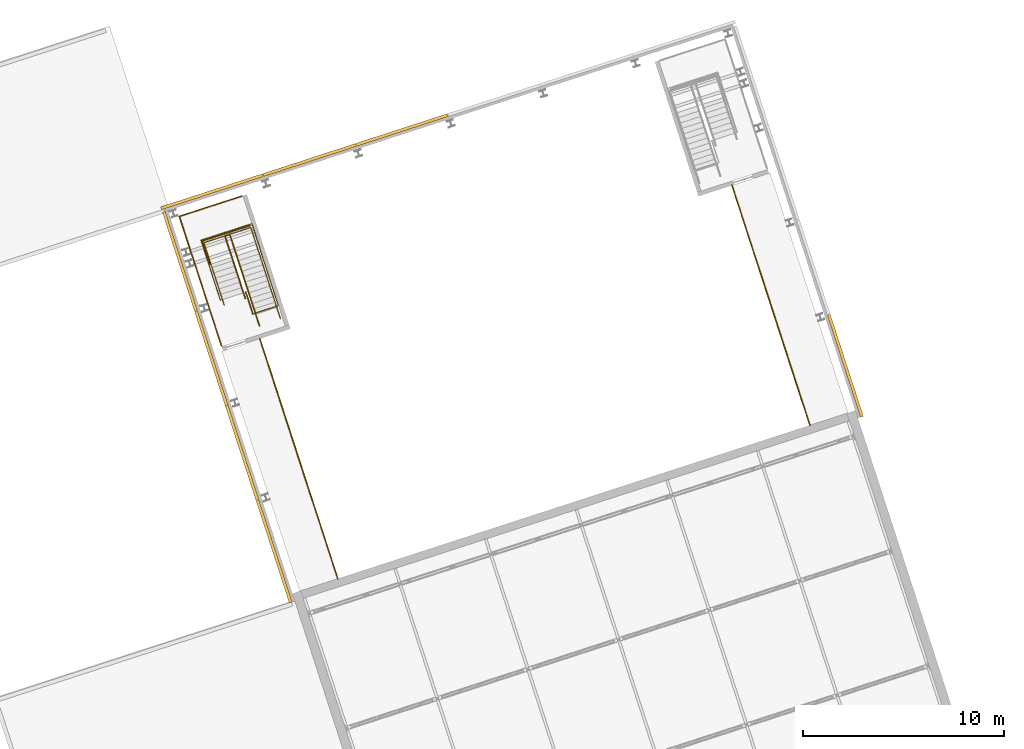
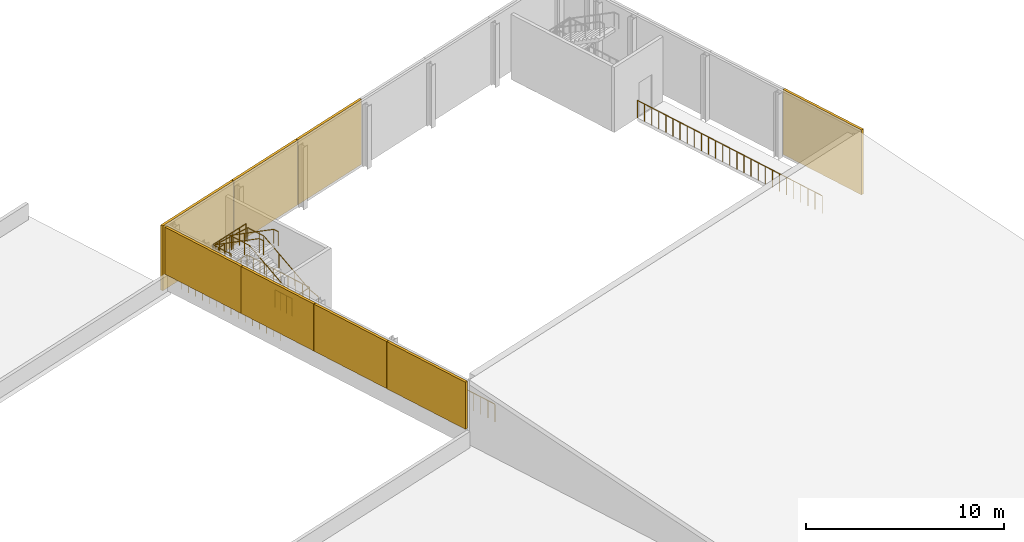
# One storey, part 53 of 55: 10 railings, 8 coverings.
"""IFC4 building model written with IfcOpenShell, lengths in metres."""

from ifc_helpers import new_model, si_unit, direction, frame, origin, origin_2d, place, context, subcontext, project, spatial, polyline, circle, outline, extrude, material, layer, layer_set, type_object, element, save


model = new_model("IFC4")

# Units and contexts
model_context = context("Model", 3, precision=1e-05, world=origin(), true_north=direction((0.0, 1.0)))
body_context = subcontext(model_context, "Body", "Model", "MODEL_VIEW")
ifc_project = project(units=[si_unit("LENGTHUNIT", "METRE"), si_unit("AREAUNIT", "SQUARE_METRE"), si_unit("VOLUMEUNIT", "CUBIC_METRE"), si_unit("PLANEANGLEUNIT", "RADIAN"), si_unit("MASSUNIT", "GRAM", prefix="KILO")], contexts=[model_context])

# Site, building, storey
site_placement = place(None, origin())
site = spatial("IfcSite", under=ifc_project, at=site_placement, CompositionType="ELEMENT")
building_placement = place(site_placement, origin())
building = spatial("IfcBuilding", under=site, at=building_placement, Name="Tuart Plaza Theatre", CompositionType="ELEMENT")
storey_placement = place(building_placement, frame((0.0, 0.0, 21.5)))
storey = spatial("IfcBuildingStorey", under=building, at=storey_placement, Name="L05", CompositionType="ELEMENT", Elevation=21.5)

# Coverings
ifc_material_1 = material(Name="Zinc")
ifc_layer = layer(ifc_material_1, 0.14990234375)
ifc_layer_set = layer_set([ifc_layer], Name="COVERING-ZINC-RAINSCREEN150")
covering_type = type_object("IfcCoveringType", Name="COVERING-ZINC-RAINSCREEN150", PredefinedType="CLADDING", material=ifc_layer_set)
covering_1_placement = place(storey_placement, frame((0.0, 0.0, 1.10009765625)))
element("IfcCovering", 1, at=covering_1_placement, inside=storey, type_object=covering_type, Name="CL36", PredefinedType="CLADDING", context=body_context, shape_type="SweptSolid", body=[
    extrude(outline(polyline([(40.91943359375, 68.2802734375), (39.269287109375, 73.35888671875), (39.412109375, 73.4052734375), (41.062255859375, 68.32666015625), (40.91943359375, 68.2802734375)])), origin(), (0.0, 0.0, 1.0), 2.89990234375),
])
covering_2_placement = place(storey_placement, frame((0.0, 0.0, 1.10009765625)))
element("IfcCovering", 2, at=covering_2_placement, inside=storey, type_object=covering_type, Name="CL37", PredefinedType="CLADDING", context=body_context, shape_type="SweptSolid", body=[
    extrude(outline(polyline([(39.26318359375, 73.3779296875), (37.73974609375, 78.066650390625), (37.88232421875, 78.113037109375), (39.406005859375, 73.42431640625), (39.26318359375, 73.3779296875)])), origin(), (0.0, 0.0, 1.0), 2.89990234375),
])
covering_3_placement = place(storey_placement, frame((0.0, 0.0, 1.10009765625)))
element("IfcCovering", 3, at=covering_3_placement, inside=storey, type_object=covering_type, Name="CL38", PredefinedType="CLADDING", context=body_context, shape_type="SweptSolid", body=[
    extrude(outline(polyline([(37.733642578125, 78.085693359375), (36.210205078125, 82.7744140625), (36.352783203125, 82.82080078125), (37.876220703125, 78.132080078125), (37.733642578125, 78.085693359375)])), origin(), (0.0, 0.0, 1.0), 2.89990234375),
])
covering_4_placement = place(storey_placement, frame((0.0, 0.0, 1.10009765625)))
element("IfcCovering", 4, at=covering_4_placement, inside=storey, type_object=covering_type, Name="CL39", PredefinedType="CLADDING", context=body_context, shape_type="SweptSolid", body=[
    extrude(outline(polyline([(36.203857421875, 82.793212890625), (34.60791015625, 87.70556640625), (34.75048828125, 87.751953125), (36.3466796875, 82.839599609375), (36.203857421875, 82.793212890625)])), origin(), (0.0, 0.0, 1.0), 2.89990234375),
])
covering_5_placement = place(storey_placement, origin())
element("IfcCovering", 5, at=covering_5_placement, inside=storey, type_object=covering_type, Name="CL40", PredefinedType="CLADDING", context=body_context, shape_type="SweptSolid", body=[
    extrude(outline(polyline([(69.337158203125, 77.513671875), (67.68701171875, 82.59228515625), (67.82958984375, 82.638671875), (69.479736328125, 77.56005859375), (69.337158203125, 77.513671875)])), origin(), (0.0, 0.0, 1.0), 4.0),
])
covering_6_placement = place(storey_placement, origin())
element("IfcCovering", 6, at=covering_6_placement, inside=storey, type_object=covering_type, Name="CL44", PredefinedType="CLADDING", context=body_context, shape_type="SweptSolid", body=[
    extrude(outline(polyline([(34.518310546875, 87.9814453125), (39.59521484375, 89.631103515625), (39.6416015625, 89.48828125), (34.564697265625, 87.838623046875), (34.518310546875, 87.9814453125)])), origin(), (0.0, 0.0, 1.0), 4.0),
])
covering_7_placement = place(storey_placement, origin())
element("IfcCovering", 7, at=covering_7_placement, inside=storey, type_object=covering_type, Name="CL45", PredefinedType="CLADDING", context=body_context, shape_type="SweptSolid", body=[
    extrude(outline(polyline([(39.6142578125, 89.63720703125), (44.192138671875, 91.12451171875), (44.23828125, 90.98193359375), (39.66064453125, 89.494384765625), (39.6142578125, 89.63720703125)])), origin(), (0.0, 0.0, 1.0), 4.0),
])
covering_8_placement = place(storey_placement, origin())
element("IfcCovering", 8, at=covering_8_placement, inside=storey, type_object=covering_type, Name="CL46", PredefinedType="CLADDING", context=body_context, shape_type="SweptSolid", body=[
    extrude(outline(polyline([(44.211181640625, 91.130859375), (48.788818359375, 92.6181640625), (48.835205078125, 92.4755859375), (44.25732421875, 90.988037109375), (44.211181640625, 91.130859375)])), origin(), (0.0, 0.0, 1.0), 4.0),
])

# Railings
ifc_material_2 = material(Name="Steel Grade C350L0", Category="steel")
railing_type_1 = type_object("IfcRailingType", Name="RAILING Guard 1100", PredefinedType="GUARDRAIL", material=ifc_material_2)
railing_1_placement = place(storey_placement, frame((39.114013671875, 82.65576171875, 0.0)))
element("IfcRailing", 9, at=railing_1_placement, inside=storey, type_object=railing_type_1, Name="GR64", PredefinedType="GUARDRAIL", context=body_context, shape_type="SweptSolid", body=[
    extrude(circle(Radius=0.02490234375, at=origin_2d()), frame((0.0, 0.0, 1.0751953125), z_axis=(-0.309181642965, 0.951003002968, 0.0), x_axis=(-0.951003002968, -0.309181642965, 0.0)), (0.0, 0.0, 1.0), 1.1552734375),
    extrude(circle(Radius=0.02001953125, at=origin_2d()), origin(), (0.0, 0.0, 1.0), 1.050048828125),
    extrude(circle(Radius=0.02001953125, at=origin_2d()), frame((-0.119140625, 0.3662109375, 0.0)), (0.0, 0.0, 1.0), 1.050048828125),
    extrude(circle(Radius=0.02001953125, at=origin_2d()), frame((-0.238037109375, 0.732421875, 0.0)), (0.0, 0.0, 1.0), 1.050048828125),
    extrude(circle(Radius=0.02001953125, at=origin_2d()), frame((-0.357177734375, 1.0986328125, 0.0)), (0.0, 0.0, 1.0), 1.050048828125),
])
railing_2_placement = place(storey_placement, frame((37.5380859375, 83.363525390625, 0.0)))
element("IfcRailing", 10, at=railing_2_placement, inside=storey, type_object=railing_type_1, Name="GR65", PredefinedType="GUARDRAIL", context=body_context, shape_type="SweptSolid", body=[
    extrude(circle(Radius=0.02490234375, at=origin_2d()), frame((0.0, 0.0, 1.0751953125), z_axis=(-0.951351351351, -0.308108108108, 0.0), x_axis=(0.308108108108, -0.951351351351, 0.0)), (0.0, 0.0, 1.0), 0.045166015625),
    extrude(circle(Radius=0.02490234375, at=origin_2d()), frame((-0.04296875, -0.013916015625, 1.0751953125), z_axis=(-0.30901175762, 0.951058217804, 0.0), x_axis=(-0.951058217804, -0.30901175762, 0.0)), (0.0, 0.0, 1.0), 3.119873046875),
    extrude(circle(Radius=0.02490234375, at=origin_2d()), frame((-1.007080078125, 2.953369140625, 1.0751953125), z_axis=(0.951065031201, 0.308990786962, 0.0), x_axis=(-0.308990786962, 0.951065031201, 0.0)), (0.0, 0.0, 1.0), 2.6650390625),
    extrude(circle(Radius=0.02490234375, at=origin_2d()), frame((1.527587890625, 3.77685546875, 1.0751953125), z_axis=(0.309115126356, -0.951024625684, 0.0), x_axis=(0.951024625684, 0.309115126356, 0.0)), (0.0, 0.0, 1.0), 1.330078125),
    extrude(circle(Radius=0.02490234375, at=origin_2d()), frame((1.938720703125, 2.511962890625, 1.0751953125), z_axis=(-0.951860557857, -0.306531366089, 0.0), x_axis=(0.306531366089, -0.951860557857, 0.0)), (0.0, 0.0, 1.0), 0.01513671875),
    extrude(circle(Radius=0.02490234375, at=origin_2d()), frame((1.92431640625, 2.50732421875, 1.0751953125), z_axis=(0.309018704887, -0.951055960514, 0.0), x_axis=(0.951055960514, 0.309018704887, 0.0)), (0.0, 0.0, 1.0), 2.949951171875),
    extrude(circle(Radius=0.02490234375, at=origin_2d()), frame((2.8359375, -0.29833984375, 1.0751953125), z_axis=(-0.951051671908, -0.309031903466, 0.0), x_axis=(0.309031903466, -0.951051671908, 0.0)), (0.0, 0.0, 1.0), 1.324951171875),
    extrude(circle(Radius=0.02001953125, at=origin_2d()), origin(), (0.0, 0.0, 1.0), 1.050048828125),
    extrude(circle(Radius=0.02001953125, at=origin_2d()), frame((-0.04296875, -0.013916015625, 0.0)), (0.0, 0.0, 1.0), 1.050048828125),
    extrude(circle(Radius=0.02001953125, at=origin_2d()), frame((-0.1806640625, 0.409912109375, 0.0)), (0.0, 0.0, 1.0), 1.050048828125),
    extrude(circle(Radius=0.02001953125, at=origin_2d()), frame((-0.318359375, 0.833984375, 0.0)), (0.0, 0.0, 1.0), 1.050048828125),
    extrude(circle(Radius=0.02001953125, at=origin_2d()), frame((-0.4560546875, 1.2578125, 0.0)), (0.0, 0.0, 1.0), 1.050048828125),
    extrude(circle(Radius=0.02001953125, at=origin_2d()), frame((-0.593994140625, 1.681640625, 0.0)), (0.0, 0.0, 1.0), 1.050048828125),
    extrude(circle(Radius=0.02001953125, at=origin_2d()), frame((-0.731689453125, 2.10546875, 0.0)), (0.0, 0.0, 1.0), 1.050048828125),
    extrude(circle(Radius=0.02001953125, at=origin_2d()), frame((-0.869384765625, 2.529541015625, 0.0)), (0.0, 0.0, 1.0), 1.050048828125),
    extrude(circle(Radius=0.02001953125, at=origin_2d()), frame((-1.007080078125, 2.953369140625, 0.0)), (0.0, 0.0, 1.0), 1.050048828125),
    extrude(circle(Radius=0.02001953125, at=origin_2d()), frame((-0.584716796875, 3.090576171875, 0.0)), (0.0, 0.0, 1.0), 1.050048828125),
    extrude(circle(Radius=0.02001953125, at=origin_2d()), frame((-0.162109375, 3.227783203125, 0.0)), (0.0, 0.0, 1.0), 1.050048828125),
    extrude(circle(Radius=0.02001953125, at=origin_2d()), frame((0.26025390625, 3.365234375, 0.0)), (0.0, 0.0, 1.0), 1.050048828125),
    extrude(circle(Radius=0.02001953125, at=origin_2d()), frame((0.6826171875, 3.50244140625, 0.0)), (0.0, 0.0, 1.0), 1.050048828125),
    extrude(circle(Radius=0.02001953125, at=origin_2d()), frame((1.105224609375, 3.6396484375, 0.0)), (0.0, 0.0, 1.0), 1.050048828125),
    extrude(circle(Radius=0.02001953125, at=origin_2d()), frame((1.527587890625, 3.77685546875, 0.0)), (0.0, 0.0, 1.0), 1.050048828125),
    extrude(circle(Radius=0.02001953125, at=origin_2d()), frame((1.66455078125, 3.355224609375, 0.0)), (0.0, 0.0, 1.0), 1.050048828125),
    extrude(circle(Radius=0.02001953125, at=origin_2d()), frame((1.8017578125, 2.93359375, 0.0)), (0.0, 0.0, 1.0), 1.050048828125),
    extrude(circle(Radius=0.02001953125, at=origin_2d()), frame((1.938720703125, 2.511962890625, 0.0)), (0.0, 0.0, 1.0), 1.050048828125),
    extrude(circle(Radius=0.02001953125, at=origin_2d()), frame((1.92431640625, 2.50732421875, 0.0)), (0.0, 0.0, 1.0), 1.050048828125),
    extrude(circle(Radius=0.02001953125, at=origin_2d()), frame((2.076171875, 2.039794921875, 0.0)), (0.0, 0.0, 1.0), 1.050048828125),
    extrude(circle(Radius=0.02001953125, at=origin_2d()), frame((2.228271484375, 1.572021484375, 0.0)), (0.0, 0.0, 1.0), 1.050048828125),
    extrude(circle(Radius=0.02001953125, at=origin_2d()), frame((2.380126953125, 1.1044921875, 0.0)), (0.0, 0.0, 1.0), 1.050048828125),
    extrude(circle(Radius=0.02001953125, at=origin_2d()), frame((2.531982421875, 0.636962890625, 0.0)), (0.0, 0.0, 1.0), 1.050048828125),
    extrude(circle(Radius=0.02001953125, at=origin_2d()), frame((2.68408203125, 0.169189453125, 0.0)), (0.0, 0.0, 1.0), 1.050048828125),
    extrude(circle(Radius=0.02001953125, at=origin_2d()), frame((2.8359375, -0.29833984375, 0.0)), (0.0, 0.0, 1.0), 1.050048828125),
    extrude(circle(Radius=0.02001953125, at=origin_2d()), frame((2.416015625, -0.434814453125, 0.0)), (0.0, 0.0, 1.0), 1.050048828125),
    extrude(circle(Radius=0.02001953125, at=origin_2d()), frame((1.995849609375, -0.5712890625, 0.0)), (0.0, 0.0, 1.0), 1.050048828125),
    extrude(circle(Radius=0.02001953125, at=origin_2d()), frame((1.575927734375, -0.707763671875, 0.0)), (0.0, 0.0, 1.0), 1.050048828125),
])
railing_3_placement = place(storey_placement, frame((38.967041015625, 87.055908203125, 2.0)))
element("IfcRailing", 11, at=railing_3_placement, inside=storey, type_object=railing_type_1, Name="GR70", PredefinedType="GUARDRAIL", context=body_context, shape_type="SweptSolid", body=[
    extrude(circle(Radius=0.02490234375, at=origin_2d()), frame((0.0, 0.0, 1.0751953125), z_axis=(-0.951062826572, -0.308997572666, 0.0), x_axis=(0.308997572666, -0.951062826572, 0.0)), (0.0, 0.0, 1.0), 2.4951171875),
    extrude(circle(Radius=0.02001953125, at=origin_2d()), origin(), (0.0, 0.0, 1.0), 1.050048828125),
    extrude(circle(Radius=0.02001953125, at=origin_2d()), frame((-0.474609375, -0.154296875, 0.0)), (0.0, 0.0, 1.0), 1.050048828125),
    extrude(circle(Radius=0.02001953125, at=origin_2d()), frame((-0.94921875, -0.308349609375, 0.0)), (0.0, 0.0, 1.0), 1.050048828125),
    extrude(circle(Radius=0.02001953125, at=origin_2d()), frame((-1.423828125, -0.462646484375, 0.0)), (0.0, 0.0, 1.0), 1.050048828125),
    extrude(circle(Radius=0.02001953125, at=origin_2d()), frame((-1.8984375, -0.61669921875, 0.0)), (0.0, 0.0, 1.0), 1.050048828125),
    extrude(circle(Radius=0.02001953125, at=origin_2d()), frame((-2.373046875, -0.77099609375, 0.0)), (0.0, 0.0, 1.0), 1.050048828125),
])
railing_4_placement = place(storey_placement, frame((36.593994140625, 86.284912109375, 2.0)))
element("IfcRailing", 12, at=railing_4_placement, inside=storey, type_object=railing_type_1, Name="GR71", PredefinedType="GUARDRAIL", context=body_context, shape_type="SweptSolid", body=[
    extrude(circle(Radius=0.02490234375, at=origin_2d()), frame((0.0, 0.0, 1.0751953125), z_axis=(0.309014268544, -0.951057401967, 0.0), x_axis=(0.951057401967, 0.309014268544, 0.0)), (0.0, 0.0, 1.0), 1.230224609375),
    extrude(circle(Radius=0.02001953125, at=origin_2d()), origin(), (0.0, 0.0, 1.0), 1.050048828125),
    extrude(circle(Radius=0.02001953125, at=origin_2d()), frame((0.126708984375, -0.389892578125, 0.0)), (0.0, 0.0, 1.0), 1.050048828125),
    extrude(circle(Radius=0.02001953125, at=origin_2d()), frame((0.25341796875, -0.780029296875, 0.0)), (0.0, 0.0, 1.0), 1.050048828125),
    extrude(circle(Radius=0.02001953125, at=origin_2d()), frame((0.380126953125, -1.169921875, 0.0)), (0.0, 0.0, 1.0), 1.050048828125),
])
railing_5_placement = place(storey_placement, frame((35.45068359375, 87.50634765625, 0.0)))
element("IfcRailing", 13, at=railing_5_placement, inside=storey, type_object=railing_type_1, Name="GR103", PredefinedType="GUARDRAIL", context=body_context, shape_type="SweptSolid", body=[
    extrude(circle(Radius=0.02490234375, at=origin_2d()), frame((0.0, 0.0, 1.0751953125), z_axis=(0.309019159347, -0.95105581285, 0.0), x_axis=(0.95105581285, 0.309019159347, 0.0)), (0.0, 0.0, 1.0), 6.76513671875),
    extrude(circle(Radius=0.02001953125, at=origin_2d()), origin(), (0.0, 0.0, 1.0), 1.050048828125),
    extrude(circle(Radius=0.02001953125, at=origin_2d()), frame((0.1494140625, -0.45947265625, 0.0)), (0.0, 0.0, 1.0), 1.050048828125),
    extrude(circle(Radius=0.02001953125, at=origin_2d()), frame((0.298583984375, -0.919189453125, 0.0)), (0.0, 0.0, 1.0), 1.050048828125),
    extrude(circle(Radius=0.02001953125, at=origin_2d()), frame((0.447998046875, -1.378662109375, 0.0)), (0.0, 0.0, 1.0), 1.050048828125),
    extrude(circle(Radius=0.02001953125, at=origin_2d()), frame((0.597412109375, -1.83837890625, 0.0)), (0.0, 0.0, 1.0), 1.050048828125),
    extrude(circle(Radius=0.02001953125, at=origin_2d()), frame((0.74658203125, -2.2978515625, 0.0)), (0.0, 0.0, 1.0), 1.050048828125),
    extrude(circle(Radius=0.02001953125, at=origin_2d()), frame((0.89599609375, -2.757568359375, 0.0)), (0.0, 0.0, 1.0), 1.050048828125),
    extrude(circle(Radius=0.02001953125, at=origin_2d()), frame((1.04541015625, -3.217041015625, 0.0)), (0.0, 0.0, 1.0), 1.050048828125),
    extrude(circle(Radius=0.02001953125, at=origin_2d()), frame((1.194580078125, -3.676513671875, 0.0)), (0.0, 0.0, 1.0), 1.050048828125),
    extrude(circle(Radius=0.02001953125, at=origin_2d()), frame((1.343994140625, -4.13623046875, 0.0)), (0.0, 0.0, 1.0), 1.050048828125),
    extrude(circle(Radius=0.02001953125, at=origin_2d()), frame((1.4931640625, -4.595703125, 0.0)), (0.0, 0.0, 1.0), 1.050048828125),
    extrude(circle(Radius=0.02001953125, at=origin_2d()), frame((1.642578125, -5.055419921875, 0.0)), (0.0, 0.0, 1.0), 1.050048828125),
    extrude(circle(Radius=0.02001953125, at=origin_2d()), frame((1.7919921875, -5.514892578125, 0.0)), (0.0, 0.0, 1.0), 1.050048828125),
    extrude(circle(Radius=0.02001953125, at=origin_2d()), frame((1.941162109375, -5.974609375, 0.0)), (0.0, 0.0, 1.0), 1.050048828125),
    extrude(circle(Radius=0.02001953125, at=origin_2d()), frame((2.090576171875, -6.43408203125, 0.0)), (0.0, 0.0, 1.0), 1.050048828125),
])
railing_6_placement = place(storey_placement, frame((38.555908203125, 88.51513671875, 0.0)))
element("IfcRailing", 14, at=railing_6_placement, inside=storey, type_object=railing_type_1, Name="GR104", PredefinedType="GUARDRAIL", context=body_context, shape_type="SweptSolid", body=[
    extrude(circle(Radius=0.02490234375, at=origin_2d()), frame((0.0, 0.0, 1.0751953125), z_axis=(-0.95107087914, -0.308972786588, 0.0), x_axis=(0.308972786588, -0.95107087914, 0.0)), (0.0, 0.0, 1.0), 3.264892578125),
    extrude(circle(Radius=0.02001953125, at=origin_2d()), origin(), (0.0, 0.0, 1.0), 1.050048828125),
    extrude(circle(Radius=0.02001953125, at=origin_2d()), frame((-0.443603515625, -0.14404296875, 0.0)), (0.0, 0.0, 1.0), 1.050048828125),
    extrude(circle(Radius=0.02001953125, at=origin_2d()), frame((-0.88720703125, -0.288330078125, 0.0)), (0.0, 0.0, 1.0), 1.050048828125),
    extrude(circle(Radius=0.02001953125, at=origin_2d()), frame((-1.330810546875, -0.432373046875, 0.0)), (0.0, 0.0, 1.0), 1.050048828125),
    extrude(circle(Radius=0.02001953125, at=origin_2d()), frame((-1.7744140625, -0.576416015625, 0.0)), (0.0, 0.0, 1.0), 1.050048828125),
    extrude(circle(Radius=0.02001953125, at=origin_2d()), frame((-2.218017578125, -0.720458984375, 0.0)), (0.0, 0.0, 1.0), 1.050048828125),
    extrude(circle(Radius=0.02001953125, at=origin_2d()), frame((-2.66162109375, -0.86474609375, 0.0)), (0.0, 0.0, 1.0), 1.050048828125),
    extrude(circle(Radius=0.02001953125, at=origin_2d()), frame((-3.105224609375, -1.0087890625, 0.0)), (0.0, 0.0, 1.0), 1.050048828125),
])
railing_7_placement = place(storey_placement, frame((43.335693359375, 69.48583984375, 0.0)))
element("IfcRailing", 15, at=railing_7_placement, inside=storey, type_object=railing_type_1, Name="GR121", PredefinedType="GUARDRAIL", context=body_context, shape_type="SweptSolid", body=[
    extrude(circle(Radius=0.02490234375, at=origin_2d()), frame((0.0, 0.0, 1.0751953125), z_axis=(-0.309017011458, 0.951056510744, 0.0), x_axis=(-0.951056510744, -0.309017011458, 0.0)), (0.0, 0.0, 1.0), 12.550048828125),
    extrude(circle(Radius=0.02001953125, at=origin_2d()), origin(), (0.0, 0.0, 1.0), 1.050048828125),
    extrude(circle(Radius=0.02001953125, at=origin_2d()), frame((-0.149169921875, 0.458984375, 0.0)), (0.0, 0.0, 1.0), 1.050048828125),
    extrude(circle(Radius=0.02001953125, at=origin_2d()), frame((-0.29833984375, 0.918212890625, 0.0)), (0.0, 0.0, 1.0), 1.050048828125),
    extrude(circle(Radius=0.02001953125, at=origin_2d()), frame((-0.447509765625, 1.377197265625, 0.0)), (0.0, 0.0, 1.0), 1.050048828125),
    extrude(circle(Radius=0.02001953125, at=origin_2d()), frame((-0.5966796875, 1.836181640625, 0.0)), (0.0, 0.0, 1.0), 1.050048828125),
    extrude(circle(Radius=0.02001953125, at=origin_2d()), frame((-0.745849609375, 2.29541015625, 0.0)), (0.0, 0.0, 1.0), 1.050048828125),
    extrude(circle(Radius=0.02001953125, at=origin_2d()), frame((-0.89501953125, 2.75439453125, 0.0)), (0.0, 0.0, 1.0), 1.050048828125),
    extrude(circle(Radius=0.02001953125, at=origin_2d()), frame((-1.044189453125, 3.21337890625, 0.0)), (0.0, 0.0, 1.0), 1.050048828125),
    extrude(circle(Radius=0.02001953125, at=origin_2d()), frame((-1.193359375, 3.672607421875, 0.0)), (0.0, 0.0, 1.0), 1.050048828125),
    extrude(circle(Radius=0.02001953125, at=origin_2d()), frame((-1.342529296875, 4.131591796875, 0.0)), (0.0, 0.0, 1.0), 1.050048828125),
    extrude(circle(Radius=0.02001953125, at=origin_2d()), frame((-1.49169921875, 4.590576171875, 0.0)), (0.0, 0.0, 1.0), 1.050048828125),
    extrude(circle(Radius=0.02001953125, at=origin_2d()), frame((-1.640869140625, 5.0498046875, 0.0)), (0.0, 0.0, 1.0), 1.050048828125),
    extrude(circle(Radius=0.02001953125, at=origin_2d()), frame((-1.7900390625, 5.5087890625, 0.0)), (0.0, 0.0, 1.0), 1.050048828125),
    extrude(circle(Radius=0.02001953125, at=origin_2d()), frame((-1.93896484375, 5.9677734375, 0.0)), (0.0, 0.0, 1.0), 1.050048828125),
    extrude(circle(Radius=0.02001953125, at=origin_2d()), frame((-2.088134765625, 6.427001953125, 0.0)), (0.0, 0.0, 1.0), 1.050048828125),
    extrude(circle(Radius=0.02001953125, at=origin_2d()), frame((-2.2373046875, 6.885986328125, 0.0)), (0.0, 0.0, 1.0), 1.050048828125),
    extrude(circle(Radius=0.02001953125, at=origin_2d()), frame((-2.386474609375, 7.34521484375, 0.0)), (0.0, 0.0, 1.0), 1.050048828125),
    extrude(circle(Radius=0.02001953125, at=origin_2d()), frame((-2.53564453125, 7.80419921875, 0.0)), (0.0, 0.0, 1.0), 1.050048828125),
    extrude(circle(Radius=0.02001953125, at=origin_2d()), frame((-2.684814453125, 8.26318359375, 0.0)), (0.0, 0.0, 1.0), 1.050048828125),
    extrude(circle(Radius=0.02001953125, at=origin_2d()), frame((-2.833984375, 8.722412109375, 0.0)), (0.0, 0.0, 1.0), 1.050048828125),
    extrude(circle(Radius=0.02001953125, at=origin_2d()), frame((-2.983154296875, 9.181396484375, 0.0)), (0.0, 0.0, 1.0), 1.050048828125),
    extrude(circle(Radius=0.02001953125, at=origin_2d()), frame((-3.13232421875, 9.640380859375, 0.0)), (0.0, 0.0, 1.0), 1.050048828125),
    extrude(circle(Radius=0.02001953125, at=origin_2d()), frame((-3.281494140625, 10.099609375, 0.0)), (0.0, 0.0, 1.0), 1.050048828125),
    extrude(circle(Radius=0.02001953125, at=origin_2d()), frame((-3.4306640625, 10.55859375, 0.0)), (0.0, 0.0, 1.0), 1.050048828125),
    extrude(circle(Radius=0.02001953125, at=origin_2d()), frame((-3.579833984375, 11.017578125, 0.0)), (0.0, 0.0, 1.0), 1.050048828125),
    extrude(circle(Radius=0.02001953125, at=origin_2d()), frame((-3.72900390625, 11.476806640625, 0.0)), (0.0, 0.0, 1.0), 1.050048828125),
    extrude(circle(Radius=0.02001953125, at=origin_2d()), frame((-3.878173828125, 11.935791015625, 0.0)), (0.0, 0.0, 1.0), 1.050048828125),
])
railing_8_placement = place(storey_placement, frame((66.81640625, 77.115234375, 0.0)))
element("IfcRailing", 16, at=railing_8_placement, inside=storey, type_object=railing_type_1, Name="GR122", PredefinedType="GUARDRAIL", context=body_context, shape_type="SweptSolid", body=[
    extrude(circle(Radius=0.02490234375, at=origin_2d()), frame((0.0, 0.0, 1.0751953125), z_axis=(-0.309017011458, 0.951056510744, 0.0), x_axis=(-0.951056510744, -0.309017011458, 0.0)), (0.0, 0.0, 1.0), 12.550048828125),
    extrude(circle(Radius=0.02001953125, at=origin_2d()), origin(), (0.0, 0.0, 1.0), 1.050048828125),
    extrude(circle(Radius=0.02001953125, at=origin_2d()), frame((-0.149169921875, 0.458984375, 0.0)), (0.0, 0.0, 1.0), 1.050048828125),
    extrude(circle(Radius=0.02001953125, at=origin_2d()), frame((-0.29833984375, 0.918212890625, 0.0)), (0.0, 0.0, 1.0), 1.050048828125),
    extrude(circle(Radius=0.02001953125, at=origin_2d()), frame((-0.447509765625, 1.377197265625, 0.0)), (0.0, 0.0, 1.0), 1.050048828125),
    extrude(circle(Radius=0.02001953125, at=origin_2d()), frame((-0.5966796875, 1.836181640625, 0.0)), (0.0, 0.0, 1.0), 1.050048828125),
    extrude(circle(Radius=0.02001953125, at=origin_2d()), frame((-0.745849609375, 2.29541015625, 0.0)), (0.0, 0.0, 1.0), 1.050048828125),
    extrude(circle(Radius=0.02001953125, at=origin_2d()), frame((-0.89501953125, 2.75439453125, 0.0)), (0.0, 0.0, 1.0), 1.050048828125),
    extrude(circle(Radius=0.02001953125, at=origin_2d()), frame((-1.044189453125, 3.21337890625, 0.0)), (0.0, 0.0, 1.0), 1.050048828125),
    extrude(circle(Radius=0.02001953125, at=origin_2d()), frame((-1.193359375, 3.672607421875, 0.0)), (0.0, 0.0, 1.0), 1.050048828125),
    extrude(circle(Radius=0.02001953125, at=origin_2d()), frame((-1.342529296875, 4.131591796875, 0.0)), (0.0, 0.0, 1.0), 1.050048828125),
    extrude(circle(Radius=0.02001953125, at=origin_2d()), frame((-1.49169921875, 4.590576171875, 0.0)), (0.0, 0.0, 1.0), 1.050048828125),
    extrude(circle(Radius=0.02001953125, at=origin_2d()), frame((-1.640869140625, 5.0498046875, 0.0)), (0.0, 0.0, 1.0), 1.050048828125),
    extrude(circle(Radius=0.02001953125, at=origin_2d()), frame((-1.7900390625, 5.5087890625, 0.0)), (0.0, 0.0, 1.0), 1.050048828125),
    extrude(circle(Radius=0.02001953125, at=origin_2d()), frame((-1.93896484375, 5.9677734375, 0.0)), (0.0, 0.0, 1.0), 1.050048828125),
    extrude(circle(Radius=0.02001953125, at=origin_2d()), frame((-2.088134765625, 6.427001953125, 0.0)), (0.0, 0.0, 1.0), 1.050048828125),
    extrude(circle(Radius=0.02001953125, at=origin_2d()), frame((-2.2373046875, 6.885986328125, 0.0)), (0.0, 0.0, 1.0), 1.050048828125),
    extrude(circle(Radius=0.02001953125, at=origin_2d()), frame((-2.386474609375, 7.34521484375, 0.0)), (0.0, 0.0, 1.0), 1.050048828125),
    extrude(circle(Radius=0.02001953125, at=origin_2d()), frame((-2.53564453125, 7.80419921875, 0.0)), (0.0, 0.0, 1.0), 1.050048828125),
    extrude(circle(Radius=0.02001953125, at=origin_2d()), frame((-2.684814453125, 8.26318359375, 0.0)), (0.0, 0.0, 1.0), 1.050048828125),
    extrude(circle(Radius=0.02001953125, at=origin_2d()), frame((-2.833984375, 8.722412109375, 0.0)), (0.0, 0.0, 1.0), 1.050048828125),
    extrude(circle(Radius=0.02001953125, at=origin_2d()), frame((-2.983154296875, 9.181396484375, 0.0)), (0.0, 0.0, 1.0), 1.050048828125),
    extrude(circle(Radius=0.02001953125, at=origin_2d()), frame((-3.13232421875, 9.640380859375, 0.0)), (0.0, 0.0, 1.0), 1.050048828125),
    extrude(circle(Radius=0.02001953125, at=origin_2d()), frame((-3.281494140625, 10.099609375, 0.0)), (0.0, 0.0, 1.0), 1.050048828125),
    extrude(circle(Radius=0.02001953125, at=origin_2d()), frame((-3.4306640625, 10.55859375, 0.0)), (0.0, 0.0, 1.0), 1.050048828125),
    extrude(circle(Radius=0.02001953125, at=origin_2d()), frame((-3.579833984375, 11.017578125, 0.0)), (0.0, 0.0, 1.0), 1.050048828125),
    extrude(circle(Radius=0.02001953125, at=origin_2d()), frame((-3.72900390625, 11.476806640625, 0.0)), (0.0, 0.0, 1.0), 1.050048828125),
    extrude(circle(Radius=0.02001953125, at=origin_2d()), frame((-3.878173828125, 11.935791015625, 0.0)), (0.0, 0.0, 1.0), 1.050048828125),
])
ifc_material_3 = material(Name="Steel Grade C350L0", Category="steel")
railing_type_2 = type_object("IfcRailingType", Name="RAILING Handrail 900", PredefinedType="HANDRAIL", material=ifc_material_3)
railing_9_placement = place(storey_placement, frame((39.436767578125, 82.066650390625, 0.0)))
element("IfcRailing", 17, at=railing_9_placement, inside=storey, type_object=railing_type_2, Name="HR39", PredefinedType="HANDRAIL", context=body_context, shape_type="SweptSolid", body=[
    extrude(circle(Radius=0.0224609375, at=origin_2d()), frame((0.0, 0.0, 0.87744140625), z_axis=(-0.297859866657, 0.916311010847, 0.267681959114), x_axis=(-0.951016131768, -0.309141257546, 0.0)), (0.0, 0.0, 1.0), 0.623046875),
    extrude(circle(Radius=0.0224609375, at=origin_2d()), frame((-0.185546875, 0.57080078125, 1.044189453125), z_axis=(-0.265513415955, 0.817247297236, 0.511477742536), x_axis=(-0.951065520339, -0.308989281404, 0.0)), (0.0, 0.0, 1.0), 3.584228515625),
    extrude(circle(Radius=0.0224609375, at=origin_2d()), frame((-1.13720703125, 3.5, 2.87744140625), z_axis=(-0.309161347536, 0.951009600998, 0.0), x_axis=(-0.951009600998, -0.309161347536, 0.0)), (0.0, 0.0, 1.0), 1.10009765625),
    extrude(circle(Radius=0.0224609375, at=origin_2d()), frame((-1.477294921875, 4.546142578125, 2.87744140625), z_axis=(-0.705135226707, -0.229005890688, 0.671074223978), x_axis=(0.30888714147, -0.951098698261, 0.0)), (0.0, 0.0, 1.0), 0.3369140625),
    extrude(circle(Radius=0.0224609375, at=origin_2d()), frame((-1.71484375, 4.468994140625, 3.103515625), z_axis=(0.265468554482, -0.817243290635, 0.511507429559), x_axis=(0.951080416459, 0.308943427553, 0.0)), (0.0, 0.0, 1.0), 3.468017578125),
    extrude(circle(Radius=0.0224609375, at=origin_2d()), frame((-0.794189453125, 1.634765625, 4.87744140625), z_axis=(0.309141257546, -0.951016131768, 0.0), x_axis=(0.951016131768, 0.309141257546, 0.0)), (0.0, 0.0, 1.0), 0.300048828125),
    extrude(circle(Radius=0.01513671875, at=origin_2d()), origin(), (0.0, 0.0, 1.0), 0.85498046875),
    extrude(circle(Radius=0.01513671875, at=origin_2d()), frame((-0.185546875, 0.57080078125, 0.166748046875)), (0.0, 0.0, 1.0), 0.85498046875),
    extrude(circle(Radius=0.01513671875, at=origin_2d()), frame((-0.502685546875, 1.547119140625, 0.77783203125)), (0.0, 0.0, 1.0), 0.85498046875),
    extrude(circle(Radius=0.01513671875, at=origin_2d()), frame((-0.820068359375, 2.523681640625, 1.388916015625)), (0.0, 0.0, 1.0), 0.85498046875),
    extrude(circle(Radius=0.01513671875, at=origin_2d()), frame((-1.13720703125, 3.5, 2.0)), (0.0, 0.0, 1.0), 0.85498046875),
    extrude(circle(Radius=0.01513671875, at=origin_2d()), frame((-1.477294921875, 4.546142578125, 2.0)), (0.0, 0.0, 1.0), 0.85498046875),
    extrude(circle(Radius=0.01513671875, at=origin_2d()), frame((-1.71484375, 4.468994140625, 2.22607421875)), (0.0, 0.0, 1.0), 0.85498046875),
    extrude(circle(Radius=0.01513671875, at=origin_2d()), frame((-1.407958984375, 3.524169921875, 2.8173828125)), (0.0, 0.0, 1.0), 0.85498046875),
    extrude(circle(Radius=0.01513671875, at=origin_2d()), frame((-1.10107421875, 2.57958984375, 3.40869140625)), (0.0, 0.0, 1.0), 0.85498046875),
    extrude(circle(Radius=0.01513671875, at=origin_2d()), frame((-0.794189453125, 1.634765625, 4.0)), (0.0, 0.0, 1.0), 0.85498046875),
    extrude(circle(Radius=0.01513671875, at=origin_2d()), frame((-0.701416015625, 1.349365234375, 4.0)), (0.0, 0.0, 1.0), 0.85498046875),
])
railing_10_placement = place(storey_placement, frame((40.48291015625, 82.40673828125, 0.0)))
element("IfcRailing", 18, at=railing_10_placement, inside=storey, type_object=railing_type_2, Name="HR40", PredefinedType="HANDRAIL", context=body_context, shape_type="SweptSolid", body=[
    extrude(circle(Radius=0.0224609375, at=origin_2d()), frame((0.0, 0.0, 0.87744140625), z_axis=(-0.297966869269, 0.916248123003, 0.267778120672), x_axis=(-0.950977235371, -0.309260889552, 0.0)), (0.0, 0.0, 1.0), 0.622802734375),
    extrude(circle(Radius=0.0224609375, at=origin_2d()), frame((-0.185546875, 0.570556640625, 1.044189453125), z_axis=(-0.265513415955, 0.817247297236, 0.511477742536), x_axis=(-0.951065520339, -0.308989281404, 0.0)), (0.0, 0.0, 1.0), 3.584228515625),
    extrude(circle(Radius=0.0224609375, at=origin_2d()), frame((-1.13720703125, 3.499755859375, 2.87744140625), z_axis=(-0.308960600764, 0.951074837842, 0.0), x_axis=(-0.951074837842, -0.308960600764, 0.0)), (0.0, 0.0, 1.0), 1.099853515625),
    extrude(circle(Radius=0.0224609375, at=origin_2d()), frame((-1.47705078125, 4.5458984375, 2.87744140625), z_axis=(-0.947044372625, -0.307677799844, 0.091876698696), x_axis=(0.308984684145, -0.951067013919, 0.0)), (0.0, 0.0, 1.0), 2.460693359375),
    extrude(circle(Radius=0.0224609375, at=origin_2d()), frame((-3.807373046875, 3.788818359375, 3.103515625), z_axis=(0.265549265619, -0.817204632901, 0.511527296921), x_axis=(0.951048517831, 0.309041610033, 0.0)), (0.0, 0.0, 1.0), 3.468017578125),
    extrude(circle(Radius=0.0224609375, at=origin_2d()), frame((-2.886474609375, 0.954833984375, 4.87744140625), z_axis=(0.309141257546, -0.951016131768, 0.0), x_axis=(0.951016131768, 0.309141257546, 0.0)), (0.0, 0.0, 1.0), 0.300048828125),
    extrude(circle(Radius=0.01513671875, at=origin_2d()), origin(), (0.0, 0.0, 1.0), 0.85498046875),
    extrude(circle(Radius=0.01513671875, at=origin_2d()), frame((-0.185546875, 0.570556640625, 0.166748046875)), (0.0, 0.0, 1.0), 0.85498046875),
    extrude(circle(Radius=0.01513671875, at=origin_2d()), frame((-0.502685546875, 1.546875, 0.77783203125)), (0.0, 0.0, 1.0), 0.85498046875),
    extrude(circle(Radius=0.01513671875, at=origin_2d()), frame((-0.820068359375, 2.5234375, 1.388916015625)), (0.0, 0.0, 1.0), 0.85498046875),
    extrude(circle(Radius=0.01513671875, at=origin_2d()), frame((-1.13720703125, 3.499755859375, 2.0)), (0.0, 0.0, 1.0), 0.85498046875),
    extrude(circle(Radius=0.01513671875, at=origin_2d()), frame((-1.47705078125, 4.5458984375, 2.0)), (0.0, 0.0, 1.0), 0.85498046875),
    extrude(circle(Radius=0.01513671875, at=origin_2d()), frame((-2.64208984375, 4.16748046875, 2.113037109375)), (0.0, 0.0, 1.0), 0.85498046875),
    extrude(circle(Radius=0.01513671875, at=origin_2d()), frame((-3.807373046875, 3.788818359375, 2.22607421875)), (0.0, 0.0, 1.0), 0.85498046875),
    extrude(circle(Radius=0.01513671875, at=origin_2d()), frame((-3.50048828125, 2.84423828125, 2.8173828125)), (0.0, 0.0, 1.0), 0.85498046875),
    extrude(circle(Radius=0.01513671875, at=origin_2d()), frame((-3.193359375, 1.8994140625, 3.40869140625)), (0.0, 0.0, 1.0), 0.85498046875),
    extrude(circle(Radius=0.01513671875, at=origin_2d()), frame((-2.886474609375, 0.954833984375, 4.0)), (0.0, 0.0, 1.0), 0.85498046875),
    extrude(circle(Radius=0.01513671875, at=origin_2d()), frame((-2.793701171875, 0.66943359375, 4.0)), (0.0, 0.0, 1.0), 0.85498046875),
])

save(model, "model.ifc")
